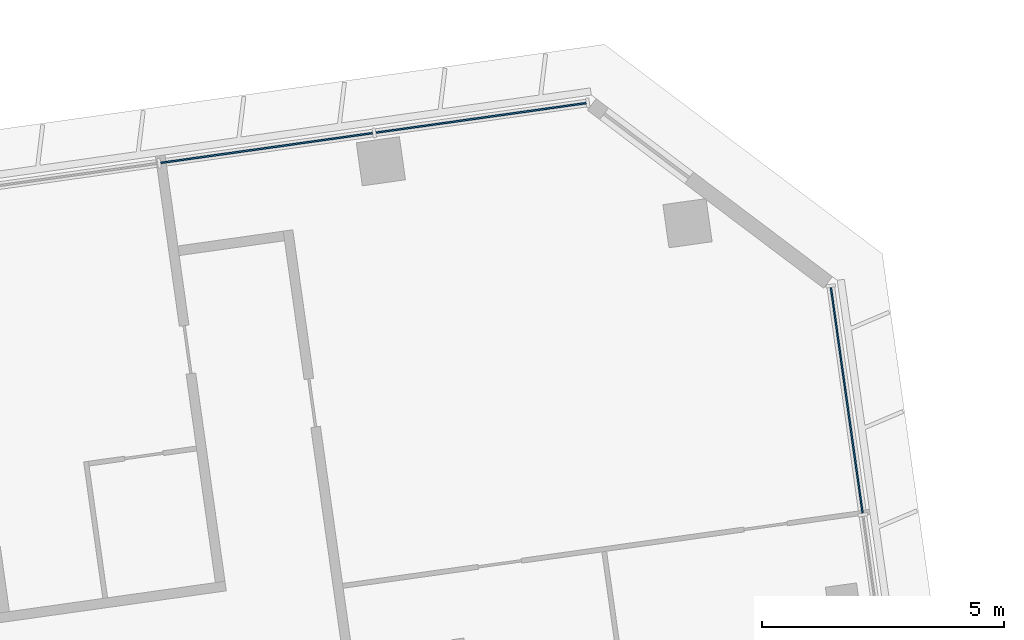
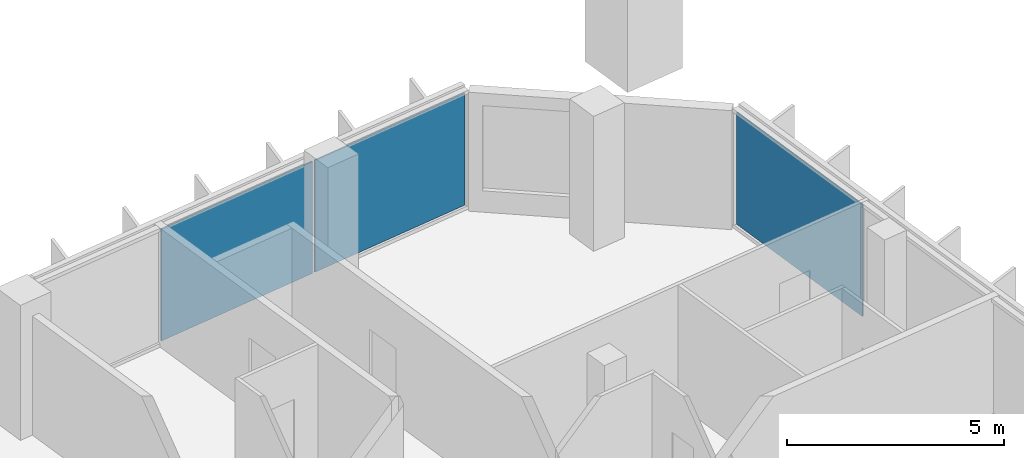
# One storey, part 13 of 26: 3 plates, 2 elements without a shape of their own.
"""IFC4 building model written with IfcOpenShell, lengths in metres."""

from ifc_helpers import new_model, si_unit, direction, frame, origin, origin_2d, place, context, subcontext, project, spatial, rectangle, extrude, material, layer, layer_set, type_object, element, aggregate, save


model = new_model("IFC4")

# Units and contexts
model_context = context("Model", 3, precision=1e-05, world=origin(), true_north=direction((0.0, 1.0)))
body_context = subcontext(model_context, "Body", "Model", "MODEL_VIEW")
ifc_project = project(units=[si_unit("LENGTHUNIT", "METRE"), si_unit("AREAUNIT", "SQUARE_METRE"), si_unit("VOLUMEUNIT", "CUBIC_METRE"), si_unit("PLANEANGLEUNIT", "RADIAN"), si_unit("MASSUNIT", "GRAM", prefix="KILO")], contexts=[model_context])

# Site, building, storey
site_placement = place(None, origin())
site = spatial("IfcSite", under=ifc_project, at=site_placement, CompositionType="ELEMENT")
building_placement = place(site_placement, origin())
building = spatial("IfcBuilding", under=site, at=building_placement, Name="Mirante Cascada Hotel Towers", CompositionType="ELEMENT")
storey_placement = place(building_placement, frame((0.0, 0.0, 113.9)))
storey = spatial("IfcBuildingStorey", under=building, at=storey_placement, Name="L25", CompositionType="ELEMENT", Elevation=113.9)

# Curtain wall, plates
ifc_material_1 = material(Name="Aluminium mullion and transom frame with clear laminated glass", Category="aluminium")
curtain_wall_type_1 = type_object("IfcCurtainWallType", Name="Ribbon curtain wall ECW1", PredefinedType="NOTDEFINED", material=ifc_material_1)
curtain_wall_1_placement = place(storey_placement, origin())
curtain_wall_1 = element("IfcCurtainWall", 1, at=curtain_wall_1_placement, inside=storey, type_object=curtain_wall_type_1, Name="Front ribbon wall T2 L25", PredefinedType="NOTDEFINED")
ifc_material_2 = material(Name="Clear laminated glass", Category="glass")
ifc_layer_1 = layer(ifc_material_2, 0.036)
ifc_layer_set_1 = layer_set([ifc_layer_1], Name="ECW1 glass panel 36")
plate_type_1 = type_object("IfcPlateType", Name="ECW1 glass panel 36", PredefinedType="CURTAIN_PANEL", material=ifc_layer_set_1)
plate_1_placement = place(storey_placement, frame((91.9184, 25.7373, 0.1), z_axis=(0.0, 0.0, 1.0), x_axis=(-0.9902681, -0.1391731, 0.0)))
plate_1 = element("IfcPlate", 2, at=plate_1_placement, type_object=plate_type_1, Name="ECW1 panel 1", PredefinedType="CURTAIN_PANEL", context=body_context, shape_type="SweptSolid", body=[
    extrude(rectangle(XDim=4.3936, YDim=0.036, at=origin_2d()), origin(), (0.0, 0.0, 1.0), 3.15),
])
plate_2_placement = place(storey_placement, frame((87.487, 25.1145, 0.1), z_axis=(0.0, 0.0, 1.0), x_axis=(-0.9902681, -0.1391731, 0.0)))
plate_2 = element("IfcPlate", 3, at=plate_2_placement, type_object=plate_type_1, Name="ECW1 panel 2", PredefinedType="CURTAIN_PANEL", context=body_context, shape_type="SweptSolid", body=[
    extrude(rectangle(XDim=4.4261, YDim=0.036, at=origin_2d()), origin(), (0.0, 0.0, 1.0), 3.15),
])
aggregate(curtain_wall_1, [plate_1, plate_2])

# Curtain wall, plate
ifc_material_3 = material(Name="Aluminium mullion and transom frame with clear laminated glass", Category="aluminium")
curtain_wall_type_2 = type_object("IfcCurtainWallType", Name="End ribbon curtain wall ECW2", PredefinedType="NOTDEFINED", material=ifc_material_3)
curtain_wall_2_placement = place(storey_placement, origin())
curtain_wall_2 = element("IfcCurtainWall", 4, at=curtain_wall_2_placement, inside=storey, type_object=curtain_wall_type_2, Name="Outer end wall T2 L25", PredefinedType="NOTDEFINED")
ifc_material_4 = material(Name="Insulated aluminium spandrel panel", Category="aluminium")
ifc_layer_2 = layer(ifc_material_4, 0.034)
ifc_layer_set_2 = layer_set([ifc_layer_2], Name="ECW2 spandrel panel 34")
plate_type_2 = type_object("IfcPlateType", Name="ECW2 spandrel panel 34", PredefinedType="CURTAIN_PANEL", material=ifc_layer_set_2)
plate_3_placement = place(storey_placement, frame((99.4786, 19.898, 0.1), z_axis=(0.0, 0.0, 1.0), x_axis=(-0.1391731, 0.9902681, 0.0)))
plate_3 = element("IfcPlate", 5, at=plate_3_placement, type_object=plate_type_2, Name="ECW2 panel 6", PredefinedType="CURTAIN_PANEL", context=body_context, shape_type="SweptSolid", body=[
    extrude(rectangle(XDim=4.7151, YDim=0.034, at=origin_2d()), origin(), (0.0, 0.0, 1.0), 3.15),
])
aggregate(curtain_wall_2, [plate_3])

save(model, "model.ifc")
